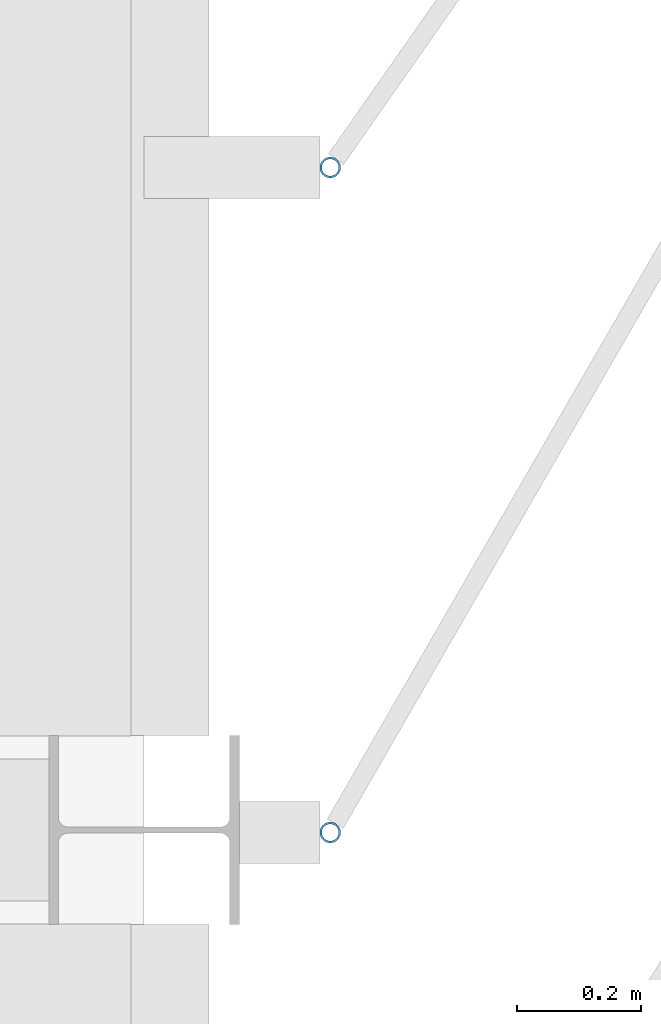
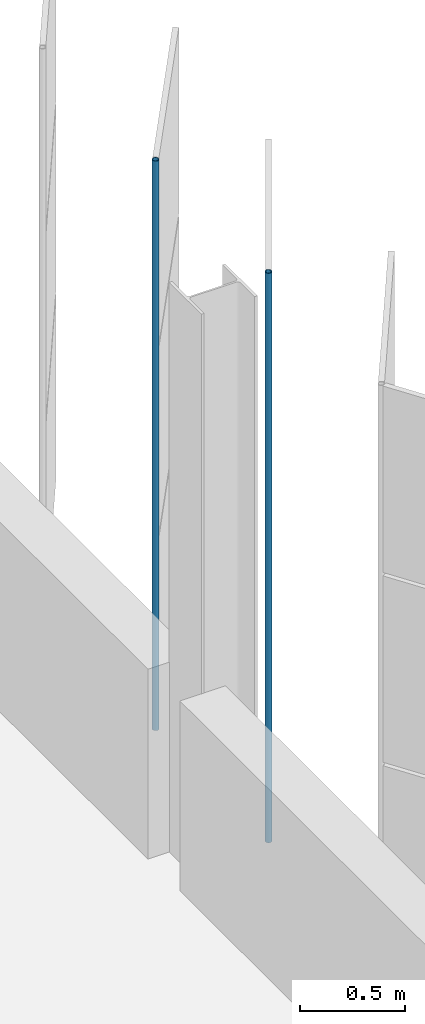
# One storey, part 100 of 199: 2 discrete accessories.
"""IFC4 building model written with IfcOpenShell, lengths in metres."""

from ifc_helpers import new_model, si_unit, direction, frame, origin, origin_2d, place, context, subcontext, project, spatial, hollow_circle, extrude, material, material_profile, profile_set, type_object, element, save


model = new_model("IFC4")

# Units and contexts
model_context = context("Model", 3, precision=1e-05, world=origin(), true_north=direction((0.0, 1.0)))
body_context = subcontext(model_context, "Body", "Model", "MODEL_VIEW")
ifc_project = project(units=[si_unit("LENGTHUNIT", "METRE"), si_unit("AREAUNIT", "SQUARE_METRE"), si_unit("VOLUMEUNIT", "CUBIC_METRE"), si_unit("PLANEANGLEUNIT", "RADIAN"), si_unit("MASSUNIT", "GRAM", prefix="KILO")], contexts=[model_context])

# Site, building, storey
site_placement = place(None, origin())
site = spatial("IfcSite", under=ifc_project, at=site_placement, CompositionType="ELEMENT")
building_placement = place(site_placement, origin())
building = spatial("IfcBuilding", under=site, at=building_placement, Name="Parallax Yard Mobility Hub", CompositionType="ELEMENT")
storey_placement = place(building_placement, frame((0.0, 0.0, 9.89990234375)))
storey = spatial("IfcBuildingStorey", under=building, at=storey_placement, Name="L03", CompositionType="ELEMENT", Elevation=9.89990234375)

# Discrete accessories
ifc_material = material(Name="Steel ASTM A500 Gr C, hot-dip galvanised", Category="steel")
ifc_material_profile = material_profile(ifc_material, hollow_circle(Radius=0.016845703125, WallThickness=0.003173828125, at=origin_2d()), Name="CHS 33.7x3.2")
ifc_profile_set = profile_set([ifc_material_profile], Name="Steel ASTM A500 Gr C, hot-dip galvanised")
discrete_accessory_type = type_object("IfcDiscreteAccessoryType", Name="Hinge post CHS 33.7x3.2", PredefinedType="BRACKET", material=ifc_profile_set)
for number, where, z_axis, x_axis, name in (
    (1, (225.300048828125, 67.49609375, 0.0), (0.0, 0.0, 1.0), (1.0, 0.0, 0.0), "Hinge post bay 38.1 level L03"),
    (2, (225.300048828125, 68.56787109375, 0.0), (0.0, 0.0, 1.0), (1.0, 0.0, 0.0), "Hinge post bay 38.2 level L03"),
):
    element("IfcDiscreteAccessory", number, at=place(storey_placement, frame(where, z_axis=z_axis, x_axis=x_axis)), inside=storey, type_object=discrete_accessory_type, Name=name, PredefinedType="BRACKET", context=body_context, shape_type="SweptSolid", body=[
        extrude(hollow_circle(Radius=0.016845703125, WallThickness=0.003173828125, at=origin_2d()), origin(), (0.0, 0.0, 1.0), 3.300048828125),
    ])

save(model, "model.ifc")
